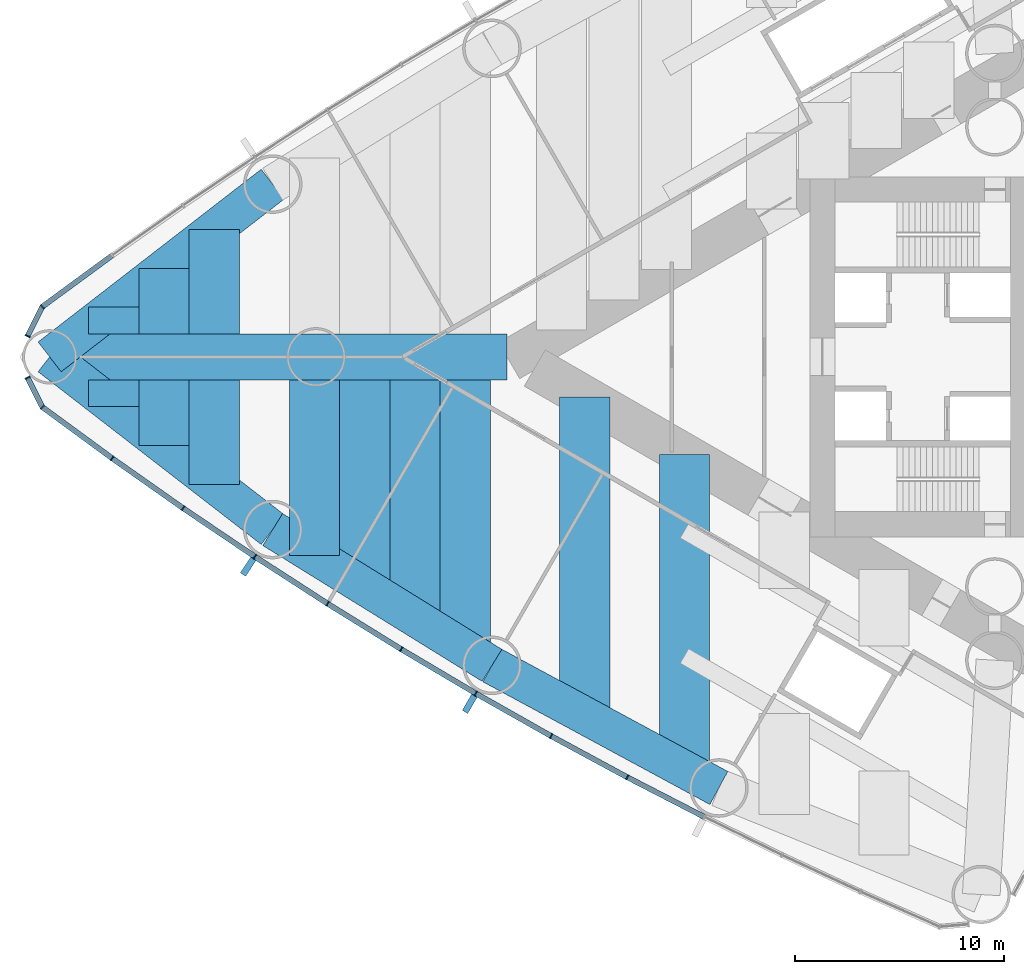
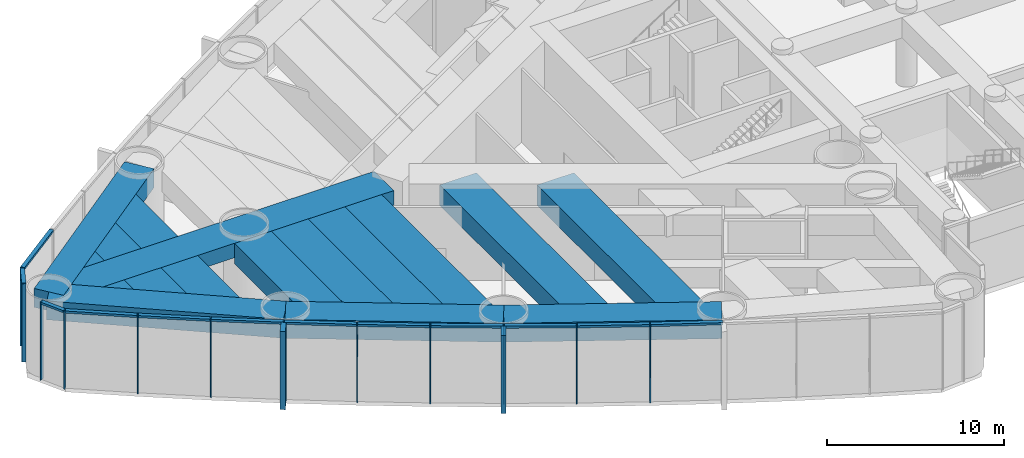
# One storey, part 2 of 20: 26 members, 17 beams, 2 elements without a shape of their own.
"""IFC4 building model written with IfcOpenShell, lengths in metres."""

from ifc_helpers import new_model, si_unit, direction, frame, origin, origin_2d, place, context, subcontext, project, spatial, rectangle, extrude, material, material_profile, profile_set, type_object, element, aggregate, save


model = new_model("IFC4")

# Units and contexts
model_context = context("Model", 3, precision=1e-05, world=origin(), true_north=direction((0.0, 1.0)))
body_context = subcontext(model_context, "Body", "Model", "MODEL_VIEW")
ifc_project = project(units=[si_unit("LENGTHUNIT", "METRE"), si_unit("AREAUNIT", "SQUARE_METRE"), si_unit("VOLUMEUNIT", "CUBIC_METRE"), si_unit("PLANEANGLEUNIT", "RADIAN"), si_unit("MASSUNIT", "GRAM", prefix="KILO")], contexts=[model_context])

# Site, building, storey
site_placement = place(None, origin())
site = spatial("IfcSite", under=ifc_project, at=site_placement, CompositionType="ELEMENT")
building_placement = place(site_placement, origin())
building = spatial("IfcBuilding", under=site, at=building_placement, Name="Lancet Gate Hotel", CompositionType="ELEMENT")
storey_placement = place(building_placement, frame((0.0, 0.0, 7.199951171875)))
storey = spatial("IfcBuildingStorey", under=building, at=storey_placement, Name="L01", CompositionType="ELEMENT", Elevation=7.199951171875)

# Curtain wall, members
ifc_material_1 = material(Name="Aluminium curtain wall", Category="aluminium")
curtain_wall_type = type_object("IfcCurtainWallType", Name="Podium curtain wall", PredefinedType="USERDEFINED", material=ifc_material_1)
curtain_wall_1_placement = place(storey_placement, origin())
curtain_wall_1 = element("IfcCurtainWall", 1, at=curtain_wall_1_placement, inside=storey, type_object=curtain_wall_type, Name="T1 L01 curtain wall 2", ObjectType="UNITISED CURTAIN WALL", PredefinedType="USERDEFINED")
ifc_material_2 = material(Name="Aluminium mullion", Category="aluminium")
ifc_material_profile_1 = material_profile(ifc_material_2, rectangle(XDim=0.06494140625, YDim=0.25, at=origin_2d()), Name="MULLION 65x250")
ifc_profile_set_1 = profile_set([ifc_material_profile_1], Name="Aluminium mullion")
member_type_1 = type_object("IfcMemberType", Name="Aluminium mullion 65x250", PredefinedType="MULLION", material=ifc_profile_set_1)
member_1_placement = place(storey_placement, frame((-74.5830078125, 2.401611328125, 0.0), z_axis=(0.0, 0.0, 1.0), x_axis=(-0.723695580132, -0.690119342793, 0.0)))
member_1 = element("IfcMember", 2, at=member_1_placement, type_object=member_type_1, Name="T1 L01 curtain wall 2 mullion 14", PredefinedType="MULLION", context=body_context, shape_type="SweptSolid", body=[
    extrude(rectangle(XDim=0.06494140625, YDim=0.25, at=origin_2d()), origin(), (0.0, 0.0, 1.0), 5.400146484375),
])
member_2_placement = place(storey_placement, frame((-75.287109375, 0.994873046875, 0.0), z_axis=(0.0, 0.0, 1.0), x_axis=(-0.447628324726, -0.89421970617, 0.0)))
member_2 = element("IfcMember", 3, at=member_2_placement, type_object=member_type_1, Name="T1 L01 curtain wall 2 mullion 15", PredefinedType="MULLION", context=body_context, shape_type="SweptSolid", body=[
    extrude(rectangle(XDim=0.06494140625, YDim=0.25, at=origin_2d()), origin(), (0.0, 0.0, 1.0), 5.400146484375),
])

curtain_wall_2_placement = place(storey_placement, origin())
curtain_wall_2 = element("IfcCurtainWall", 4, at=curtain_wall_2_placement, inside=storey, type_object=curtain_wall_type, Name="T1 L01 curtain wall 3", ObjectType="UNITISED CURTAIN WALL", PredefinedType="USERDEFINED")
member_3_placement = place(storey_placement, frame((-75.287109375, -0.994873046875, 0.0), z_axis=(0.0, 0.0, 1.0), x_axis=(0.447628324726, -0.89421970617, 0.0)))
member_3 = element("IfcMember", 5, at=member_3_placement, type_object=member_type_1, Name="T1 L01 curtain wall 3 mullion 1", PredefinedType="MULLION", context=body_context, shape_type="SweptSolid", body=[
    extrude(rectangle(XDim=0.06494140625, YDim=0.25, at=origin_2d()), origin(), (0.0, 0.0, 1.0), 5.400146484375),
])
member_4_placement = place(storey_placement, frame((-74.5830078125, -2.401611328125, 0.0), z_axis=(0.0, 0.0, 1.0), x_axis=(0.723695580132, -0.690119342793, 0.0)))
member_4 = element("IfcMember", 6, at=member_4_placement, type_object=member_type_1, Name="T1 L01 curtain wall 3 mullion 2", PredefinedType="MULLION", context=body_context, shape_type="SweptSolid", body=[
    extrude(rectangle(XDim=0.06494140625, YDim=0.25, at=origin_2d()), origin(), (0.0, 0.0, 1.0), 5.400146484375),
])
member_5_placement = place(storey_placement, frame((-71.244384765625, -4.85009765625, 0.0), z_axis=(0.0, 0.0, 1.0), x_axis=(0.812146623168, -0.583453393578, 0.0)))
member_5 = element("IfcMember", 7, at=member_5_placement, type_object=member_type_1, Name="T1 L01 curtain wall 3 mullion 3", PredefinedType="MULLION", context=body_context, shape_type="SweptSolid", body=[
    extrude(rectangle(XDim=0.06494140625, YDim=0.25, at=origin_2d()), origin(), (0.0, 0.0, 1.0), 5.400146484375),
])
member_6_placement = place(storey_placement, frame((-67.858154296875, -7.232666015625, 0.0), z_axis=(0.0, 0.0, 1.0), x_axis=(0.823425148573, -0.56742490666, 0.0)))
member_6 = element("IfcMember", 8, at=member_6_placement, type_object=member_type_1, Name="T1 L01 curtain wall 3 mullion 4", PredefinedType="MULLION", context=body_context, shape_type="SweptSolid", body=[
    extrude(rectangle(XDim=0.06494140625, YDim=0.25, at=origin_2d()), origin(), (0.0, 0.0, 1.0), 5.400146484375),
])
member_7_placement = place(storey_placement, frame((-64.42626953125, -9.548583984375, 0.0), z_axis=(0.0, 0.0, 1.0), x_axis=(0.834387381945, -0.55117846189, 0.0)))
member_7 = element("IfcMember", 9, at=member_7_placement, type_object=member_type_1, Name="T1 L01 curtain wall 3 mullion 5", PredefinedType="MULLION", context=body_context, shape_type="SweptSolid", body=[
    extrude(rectangle(XDim=0.06494140625, YDim=0.25, at=origin_2d()), origin(), (0.0, 0.0, 1.0), 5.400146484375),
])
member_8_placement = place(storey_placement, frame((-60.949462890625, -11.796630859375, 0.0), z_axis=(0.0, 0.0, 1.0), x_axis=(0.845029112489, -0.534720299827, 0.0)))
member_8 = element("IfcMember", 10, at=member_8_placement, type_object=member_type_1, Name="T1 L01 curtain wall 3 mullion 6", PredefinedType="MULLION", context=body_context, shape_type="SweptSolid", body=[
    extrude(rectangle(XDim=0.06494140625, YDim=0.25, at=origin_2d()), origin(), (0.0, 0.0, 1.0), 5.400146484375),
])
member_9_placement = place(storey_placement, frame((-57.42919921875, -13.97607421875, 0.0), z_axis=(0.0, 0.0, 1.0), x_axis=(0.855346252548, -0.518056742309, 0.0)))
member_9 = element("IfcMember", 11, at=member_9_placement, type_object=member_type_1, Name="T1 L01 curtain wall 3 mullion 7", PredefinedType="MULLION", context=body_context, shape_type="SweptSolid", body=[
    extrude(rectangle(XDim=0.06494140625, YDim=0.25, at=origin_2d()), origin(), (0.0, 0.0, 1.0), 5.400146484375),
])
member_10_placement = place(storey_placement, frame((-53.866943359375, -16.086181640625, 0.0), z_axis=(0.0, 0.0, 1.0), x_axis=(0.86533483912, -0.501194190115, 0.0)))
member_10 = element("IfcMember", 12, at=member_10_placement, type_object=member_type_1, Name="T1 L01 curtain wall 3 mullion 8", PredefinedType="MULLION", context=body_context, shape_type="SweptSolid", body=[
    extrude(rectangle(XDim=0.06494140625, YDim=0.25, at=origin_2d()), origin(), (0.0, 0.0, 1.0), 5.400146484375),
])
member_11_placement = place(storey_placement, frame((-50.26416015625, -18.1259765625, 0.0), z_axis=(0.0, 0.0, 1.0), x_axis=(0.874991035403, -0.484139120464, 0.0)))
member_11 = element("IfcMember", 13, at=member_11_placement, type_object=member_type_1, Name="T1 L01 curtain wall 3 mullion 9", PredefinedType="MULLION", context=body_context, shape_type="SweptSolid", body=[
    extrude(rectangle(XDim=0.06494140625, YDim=0.25, at=origin_2d()), origin(), (0.0, 0.0, 1.0), 5.400146484375),
])
member_12_placement = place(storey_placement, frame((-46.6220703125, -20.094970703125, 0.0), z_axis=(0.0, 0.0, 1.0), x_axis=(0.884311132302, -0.466898084475, 0.0)))
member_12 = element("IfcMember", 14, at=member_12_placement, type_object=member_type_1, Name="T1 L01 curtain wall 3 mullion 10", PredefinedType="MULLION", context=body_context, shape_type="SweptSolid", body=[
    extrude(rectangle(XDim=0.06494140625, YDim=0.25, at=origin_2d()), origin(), (0.0, 0.0, 1.0), 5.400146484375),
])

# Member
ifc_material_3 = material(Name="Aluminium transom", Category="aluminium")
ifc_material_profile_2 = material_profile(ifc_material_3, rectangle(XDim=0.25, YDim=0.14990234375, at=origin_2d()), Name="TRANSOM 250x150")
ifc_profile_set_2 = profile_set([ifc_material_profile_2], Name="Aluminium transom")
member_type_2 = type_object("IfcMemberType", Name="Aluminium transom 250x150", PredefinedType="USERDEFINED", material=ifc_profile_set_2)
member_13_placement = place(storey_placement, frame((-71.2705078125, 4.8310546875, 5.324951171875), z_axis=(-0.806366902144, -0.59141560609, 0.0), x_axis=(0.59141560609, -0.806366902144, 0.0)))
member_13 = element("IfcMember", 15, at=member_13_placement, type_object=member_type_2, Name="T1 L01 curtain wall 2 transom 13", ObjectType="TRANSOM", PredefinedType="USERDEFINED", context=body_context, shape_type="SweptSolid", body=[
    extrude(rectangle(XDim=0.25, YDim=0.14990234375, at=origin_2d()), origin(), (0.0, 0.0, 1.0), 4.0751953125),
])

member_14_placement = place(storey_placement, frame((-74.597412109375, 2.37255859375, 5.324951171875), z_axis=(-0.447731503446, -0.894168049542, 0.0), x_axis=(0.894168049542, -0.447731503446, 0.0)))
member_14 = element("IfcMember", 16, at=member_14_placement, type_object=member_type_2, Name="T1 L01 curtain wall 2 transom 14", ObjectType="TRANSOM", PredefinedType="USERDEFINED", context=body_context, shape_type="SweptSolid", body=[
    extrude(rectangle(XDim=0.25, YDim=0.14990234375, at=origin_2d()), origin(), (0.0, 0.0, 1.0), 1.50830078125),
])

aggregate(curtain_wall_1, [member_1, member_2, member_13, member_14])

member_15_placement = place(storey_placement, frame((-75.272705078125, -1.02392578125, 5.324951171875), z_axis=(0.447731503446, -0.894168049542, 0.0), x_axis=(0.894168049542, 0.447731503446, 0.0)))
member_15 = element("IfcMember", 17, at=member_15_placement, type_object=member_type_2, Name="T1 L01 curtain wall 3 transom 1", ObjectType="TRANSOM", PredefinedType="USERDEFINED", context=body_context, shape_type="SweptSolid", body=[
    extrude(rectangle(XDim=0.25, YDim=0.14990234375, at=origin_2d()), origin(), (0.0, 0.0, 1.0), 1.50830078125),
])

member_16_placement = place(storey_placement, frame((-74.556640625, -2.4208984375, 5.324951171875), z_axis=(0.806366902144, -0.59141560609, 0.0), x_axis=(0.59141560609, 0.806366902144, 0.0)))
member_16 = element("IfcMember", 18, at=member_16_placement, type_object=member_type_2, Name="T1 L01 curtain wall 3 transom 2", ObjectType="TRANSOM", PredefinedType="USERDEFINED", context=body_context, shape_type="SweptSolid", body=[
    extrude(rectangle(XDim=0.25, YDim=0.14990234375, at=origin_2d()), origin(), (0.0, 0.0, 1.0), 4.0751953125),
])

member_17_placement = place(storey_placement, frame((-71.2177734375, -4.868896484375, 5.324951171875), z_axis=(0.817833568345, -0.57545482402, 0.0), x_axis=(0.57545482402, 0.817833568345, 0.0)))
member_17 = element("IfcMember", 19, at=member_17_placement, type_object=member_type_2, Name="T1 L01 curtain wall 3 transom 3", ObjectType="TRANSOM", PredefinedType="USERDEFINED", context=body_context, shape_type="SweptSolid", body=[
    extrude(rectangle(XDim=0.25, YDim=0.14990234375, at=origin_2d()), origin(), (0.0, 0.0, 1.0), 4.075439453125),
])

member_18_placement = place(storey_placement, frame((-67.831298828125, -7.2509765625, 5.324951171875), z_axis=(0.828959086782, -0.559309245804, 0.0), x_axis=(0.559309245804, 0.828959086782, 0.0)))
member_18 = element("IfcMember", 20, at=member_18_placement, type_object=member_type_2, Name="T1 L01 curtain wall 3 transom 4", ObjectType="TRANSOM", PredefinedType="USERDEFINED", context=body_context, shape_type="SweptSolid", body=[
    extrude(rectangle(XDim=0.25, YDim=0.14990234375, at=origin_2d()), origin(), (0.0, 0.0, 1.0), 4.0751953125),
])

member_19_placement = place(storey_placement, frame((-64.39892578125, -9.566162109375, 5.324951171875), z_axis=(0.839729242404, -0.543005340169, 0.0), x_axis=(0.543005340169, 0.839729242404, 0.0)))
member_19 = element("IfcMember", 21, at=member_19_placement, type_object=member_type_2, Name="T1 L01 curtain wall 3 transom 5", ObjectType="TRANSOM", PredefinedType="USERDEFINED", context=body_context, shape_type="SweptSolid", body=[
    extrude(rectangle(XDim=0.25, YDim=0.14990234375, at=origin_2d()), origin(), (0.0, 0.0, 1.0), 4.0751953125),
])

member_20_placement = place(storey_placement, frame((-60.921875, -11.813720703125, 5.324951171875), z_axis=(0.850242165643, -0.526391736032, 0.0), x_axis=(0.526391736032, 0.850242165643, 0.0)))
member_20 = element("IfcMember", 22, at=member_20_placement, type_object=member_type_2, Name="T1 L01 curtain wall 3 transom 6", ObjectType="TRANSOM", PredefinedType="USERDEFINED", context=body_context, shape_type="SweptSolid", body=[
    extrude(rectangle(XDim=0.25, YDim=0.14990234375, at=origin_2d()), origin(), (0.0, 0.0, 1.0), 4.075439453125),
])

member_21_placement = place(storey_placement, frame((-57.4013671875, -13.99267578125, 5.324951171875), z_axis=(0.86039174806, -0.509633240547, 0.0), x_axis=(0.509633240547, 0.86039174806, 0.0)))
member_21 = element("IfcMember", 23, at=member_21_placement, type_object=member_type_2, Name="T1 L01 curtain wall 3 transom 7", ObjectType="TRANSOM", PredefinedType="USERDEFINED", context=body_context, shape_type="SweptSolid", body=[
    extrude(rectangle(XDim=0.25, YDim=0.14990234375, at=origin_2d()), origin(), (0.0, 0.0, 1.0), 4.0751953125),
])

member_22_placement = place(storey_placement, frame((-53.838623046875, -16.102294921875, 5.324951171875), z_axis=(0.870197729943, -0.492702659625, 0.0), x_axis=(0.492702659625, 0.870197729943, 0.0)))
member_22 = element("IfcMember", 24, at=member_22_placement, type_object=member_type_2, Name="T1 L01 curtain wall 3 transom 8", ObjectType="TRANSOM", PredefinedType="USERDEFINED", context=body_context, shape_type="SweptSolid", body=[
    extrude(rectangle(XDim=0.25, YDim=0.14990234375, at=origin_2d()), origin(), (0.0, 0.0, 1.0), 4.0751953125),
])

member_23_placement = place(storey_placement, frame((-50.235595703125, -18.1416015625, 5.324951171875), z_axis=(0.87971396408, -0.475503250675, 0.0), x_axis=(0.475503250675, 0.87971396408, 0.0)))
member_23 = element("IfcMember", 25, at=member_23_placement, type_object=member_type_2, Name="T1 L01 curtain wall 3 transom 9", ObjectType="TRANSOM", PredefinedType="USERDEFINED", context=body_context, shape_type="SweptSolid", body=[
    extrude(rectangle(XDim=0.25, YDim=0.14990234375, at=origin_2d()), origin(), (0.0, 0.0, 1.0), 4.0751953125),
])

member_24_placement = place(storey_placement, frame((-46.593017578125, -20.10986328125, 5.324951171875), z_axis=(0.888859972399, -0.458178949175, 0.0), x_axis=(0.458178949175, 0.888859972399, 0.0)))
member_24 = element("IfcMember", 26, at=member_24_placement, type_object=member_type_2, Name="T1 L01 curtain wall 3 transom 10", ObjectType="TRANSOM", PredefinedType="USERDEFINED", context=body_context, shape_type="SweptSolid", body=[
    extrude(rectangle(XDim=0.25, YDim=0.14990234375, at=origin_2d()), origin(), (0.0, 0.0, 1.0), 4.0751953125),
])

# Beams
ifc_material_4 = material(Name="Concrete C50/60", Category="concrete")
ifc_material_profile_3 = material_profile(ifc_material_4, rectangle(XDim=1.800048828125, YDim=1.300048828125, at=origin_2d()), Name="RC 1800x1300")
ifc_profile_set_3 = profile_set([ifc_material_profile_3], Name="Concrete C50/60")
beam_type_1 = type_object("IfcBeamType", Name="Edge beam RC 1800x1300", PredefinedType="SPANDREL", material=ifc_profile_set_3)
for number, where, z_axis, x_axis, name in (
    (27, (-63.57177734375, 8.255126953125, 4.400146484375), (-0.790736428665, -0.612156761281, 0.0), (0.612156761281, -0.790736428665, 0.0), "T1 edge beam EB1 L01"),
    (28, (-74.235107421875, 0.0, 4.400146484375), (0.790736428665, -0.612156761281, 0.0), (0.612156761281, 0.790736428665, 0.0), "T1 edge beam EB1 L01"),
):
    element("IfcBeam", number, at=place(storey_placement, frame(where, z_axis=z_axis, x_axis=x_axis)), inside=storey, type_object=beam_type_1, Name=name, PredefinedType="SPANDREL", context=body_context, shape_type="SweptSolid", body=[
        extrude(rectangle(XDim=1.800048828125, YDim=1.300048828125, at=origin_2d()), origin(), (0.0, 0.0, 1.0), 13.4853515625),
    ])
for number, where, z_axis, x_axis, name in (
    (29, (-63.57177734375, -8.255126953125, 4.400146484375), (0.850225894333, -0.526418016984, 0.0), (0.526418016984, 0.850225894333, 0.0), "T1 edge beam EB1 L01"),
    (30, (-53.090087890625, -14.744873046875, 4.400146484375), (0.879692855603, -0.475542300749, 0.0), (0.475542300749, 0.879692855603, 0.0), "T1 edge beam EB1 L01"),
):
    element("IfcBeam", number, at=place(storey_placement, frame(where, z_axis=z_axis, x_axis=x_axis)), inside=storey, type_object=beam_type_1, Name=name, PredefinedType="SPANDREL", context=body_context, shape_type="SweptSolid", body=[
        extrude(rectangle(XDim=1.800048828125, YDim=1.300048828125, at=origin_2d()), origin(), (0.0, 0.0, 1.0), 12.328125),
    ])

# Member
ifc_material_5 = material(Name="Precast concrete C50/60", Category="concrete")
ifc_material_profile_4 = material_profile(ifc_material_5, rectangle(XDim=0.300048828125, YDim=0.89990234375, at=origin_2d()), Name="FIN 300x900")
ifc_profile_set_4 = profile_set([ifc_material_profile_4], Name="Precast concrete C50/60")
member_type_3 = type_object("IfcMemberType", Name="Exposed concrete fin 300x900", PredefinedType="USERDEFINED", material=ifc_profile_set_4)
member_25_placement = place(storey_placement, frame((-64.7431640625, -10.0283203125, 0.0), z_axis=(0.0, 0.0, 1.0), x_axis=(0.834387381945, -0.55117846189, 0.0)))
member_25 = element("IfcMember", 31, at=member_25_placement, type_object=member_type_3, Name="T1 L01 curtain wall 3 fin 5", ObjectType="FIN", PredefinedType="USERDEFINED", context=body_context, shape_type="SweptSolid", body=[
    extrude(rectangle(XDim=0.300048828125, YDim=0.89990234375, at=origin_2d()), origin(), (0.0, 0.0, 1.0), 5.400146484375),
])

member_26_placement = place(storey_placement, frame((-54.1552734375, -16.583740234375, 0.0), z_axis=(0.0, 0.0, 1.0), x_axis=(0.86533483912, -0.501194190115, 0.0)))
member_26 = element("IfcMember", 32, at=member_26_placement, type_object=member_type_3, Name="T1 L01 curtain wall 3 fin 8", ObjectType="FIN", PredefinedType="USERDEFINED", context=body_context, shape_type="SweptSolid", body=[
    extrude(rectangle(XDim=0.300048828125, YDim=0.89990234375, at=origin_2d()), origin(), (0.0, 0.0, 1.0), 5.400146484375),
])

aggregate(curtain_wall_2, [member_3, member_4, member_5, member_6, member_7, member_25, member_8, member_9, member_10, member_26, member_11, member_12, member_15, member_16, member_17, member_18, member_19, member_20, member_21, member_22, member_23, member_24])

# Beams
ifc_material_6 = material(Name="Concrete C50/60", Category="concrete")
ifc_material_profile_5 = material_profile(ifc_material_6, rectangle(XDim=2.39990234375, YDim=1.39990234375, at=origin_2d()), Name="RC 2400x1400")
ifc_profile_set_5 = profile_set([ifc_material_profile_5], Name="Concrete C50/60")
beam_type_2 = type_object("IfcBeamType", Name="Floor beam RC 2400x1400", PredefinedType="BEAM", material=ifc_profile_set_5)
beam_1_placement = place(storey_placement, frame((-43.891357421875, -4.663330078125, 4.35009765625), z_axis=(0.0, -1.0, 0.0), x_axis=(1.0, 0.0, 0.0)))
element("IfcBeam", 33, at=beam_1_placement, inside=storey, type_object=beam_type_2, Name="T1 floor beam F08N L01", PredefinedType="BEAM", context=body_context, shape_type="SweptSolid", body=[
    extrude(rectangle(XDim=2.39990234375, YDim=1.39990234375, at=origin_2d()), origin(), (0.0, 0.0, 1.0), 15.05419921875),
])
beam_2_placement = place(storey_placement, frame((-48.66015625, -1.909912109375, 4.35009765625), z_axis=(0.0, -1.0, 0.0), x_axis=(1.0, 0.0, 0.0)))
element("IfcBeam", 34, at=beam_2_placement, inside=storey, type_object=beam_type_2, Name="T1 floor beam F11N L01", PredefinedType="BEAM", context=body_context, shape_type="SweptSolid", body=[
    extrude(rectangle(XDim=2.39990234375, YDim=1.39990234375, at=origin_2d()), origin(), (0.0, 0.0, 1.0), 15.229736328125),
])
beam_3_placement = place(storey_placement, frame((-54.3681640625, -1.10009765625, 4.35009765625), z_axis=(0.0, -1.0, 0.0), x_axis=(1.0, 0.0, 0.0)))
element("IfcBeam", 35, at=beam_3_placement, inside=storey, type_object=beam_type_2, Name="T1 floor beam F14N L01", PredefinedType="BEAM", context=body_context, shape_type="SweptSolid", body=[
    extrude(rectangle(XDim=2.39990234375, YDim=1.39990234375, at=origin_2d()), origin(), (0.0, 0.0, 1.0), 12.853515625),
])
beam_4_placement = place(storey_placement, frame((-56.768310546875, -1.10009765625, 4.35009765625), z_axis=(0.0, -1.0, 0.0), x_axis=(1.0, 0.0, 0.0)))
element("IfcBeam", 36, at=beam_4_placement, inside=storey, type_object=beam_type_2, Name="T1 floor beam F16N L01", PredefinedType="BEAM", context=body_context, shape_type="SweptSolid", body=[
    extrude(rectangle(XDim=2.39990234375, YDim=1.39990234375, at=origin_2d()), origin(), (0.0, 0.0, 1.0), 11.367431640625),
])
beam_5_placement = place(storey_placement, frame((-59.168212890625, -1.10009765625, 4.35009765625), z_axis=(0.0, -1.0, 0.0), x_axis=(1.0, 0.0, 0.0)))
element("IfcBeam", 37, at=beam_5_placement, inside=storey, type_object=beam_type_2, Name="T1 floor beam F18N L01", PredefinedType="BEAM", context=body_context, shape_type="SweptSolid", body=[
    extrude(rectangle(XDim=2.39990234375, YDim=1.39990234375, at=origin_2d()), origin(), (0.0, 0.0, 1.0), 9.881591796875),
])
beam_6_placement = place(storey_placement, frame((-61.568359375, -1.10009765625, 4.35009765625), z_axis=(0.0, -1.0, 0.0), x_axis=(1.0, 0.0, 0.0)))
element("IfcBeam", 38, at=beam_6_placement, inside=storey, type_object=beam_type_2, Name="T1 floor beam F20N L01", PredefinedType="BEAM", context=body_context, shape_type="SweptSolid", body=[
    extrude(rectangle(XDim=2.39990234375, YDim=1.39990234375, at=origin_2d()), origin(), (0.0, 0.0, 1.0), 8.395751953125),
])
for number, where, z_axis, x_axis, name in (
    (39, (-66.3681640625, 6.09033203125, 4.35009765625), (0.0, -1.0, 0.0), (1.0, 0.0, 0.0), "T1 floor beam F21S L01"),
    (40, (-66.3681640625, -1.10009765625, 4.35009765625), (0.0, -1.0, 0.0), (1.0, 0.0, 0.0), "T1 floor beam F22N L01"),
):
    element("IfcBeam", number, at=place(storey_placement, frame(where, z_axis=z_axis, x_axis=x_axis)), inside=storey, type_object=beam_type_2, Name=name, PredefinedType="BEAM", context=body_context, shape_type="SweptSolid", body=[
        extrude(rectangle(XDim=2.39990234375, YDim=1.39990234375, at=origin_2d()), origin(), (0.0, 0.0, 1.0), 4.990234375),
    ])
for number, where, z_axis, x_axis, name in (
    (41, (-68.768310546875, 4.232421875, 4.35009765625), (0.0, -1.0, 0.0), (1.0, 0.0, 0.0), "T1 floor beam F23S L01"),
    (42, (-68.768310546875, -1.10009765625, 4.35009765625), (0.0, -1.0, 0.0), (1.0, 0.0, 0.0), "T1 floor beam F24N L01"),
):
    element("IfcBeam", number, at=place(storey_placement, frame(where, z_axis=z_axis, x_axis=x_axis)), inside=storey, type_object=beam_type_2, Name=name, PredefinedType="BEAM", context=body_context, shape_type="SweptSolid", body=[
        extrude(rectangle(XDim=2.39990234375, YDim=1.39990234375, at=origin_2d()), origin(), (0.0, 0.0, 1.0), 3.13232421875),
    ])
for number, where, z_axis, x_axis, name in (
    (43, (-71.168212890625, 2.374267578125, 4.35009765625), (0.0, -1.0, 0.0), (1.0, 0.0, 0.0), "T1 floor beam F25S L01"),
    (44, (-71.168212890625, -1.10009765625, 4.35009765625), (0.0, -1.0, 0.0), (1.0, 0.0, 0.0), "T1 floor beam F26N L01"),
):
    element("IfcBeam", number, at=place(storey_placement, frame(where, z_axis=z_axis, x_axis=x_axis)), inside=storey, type_object=beam_type_2, Name=name, PredefinedType="BEAM", context=body_context, shape_type="SweptSolid", body=[
        extrude(rectangle(XDim=2.39990234375, YDim=1.39990234375, at=origin_2d()), origin(), (0.0, 0.0, 1.0), 1.274169921875),
    ])
ifc_material_7 = material(Name="Concrete C50/60", Category="concrete")
ifc_material_profile_6 = material_profile(ifc_material_7, rectangle(XDim=2.199951171875, YDim=1.0, at=origin_2d()), Name="RC 2200x1000")
ifc_profile_set_6 = profile_set([ifc_material_profile_6], Name="Concrete C50/60")
beam_type_3 = type_object("IfcBeamType", Name="Radial floor beam RC 2200x1000", PredefinedType="BEAM", material=ifc_profile_set_6)
beam_7_placement = place(storey_placement, frame((-74.235107421875, 0.0, 4.550048828125), z_axis=(1.0, 0.0, 0.0), x_axis=(0.0, 1.0, 0.0)))
element("IfcBeam", 45, at=beam_7_placement, inside=storey, type_object=beam_type_3, Name="T1 radial beam CA L01", PredefinedType="BEAM", context=body_context, shape_type="SweptSolid", body=[
    extrude(rectangle(XDim=2.199951171875, YDim=1.0, at=origin_2d()), origin(), (0.0, 0.0, 1.0), 21.866943359375),
])

save(model, "model.ifc")
